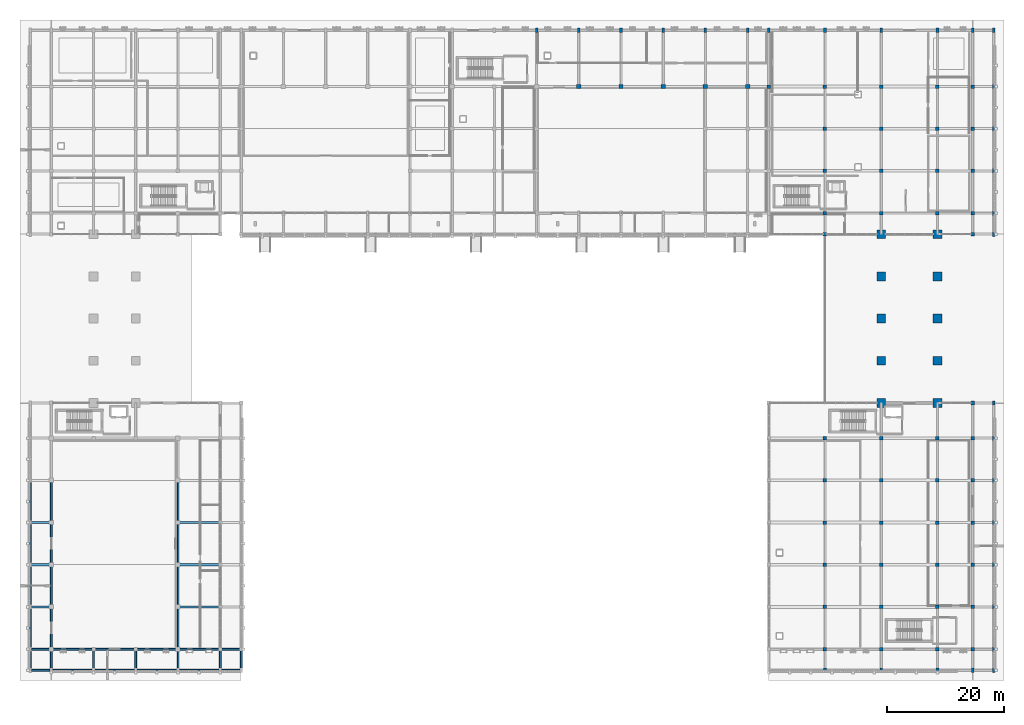
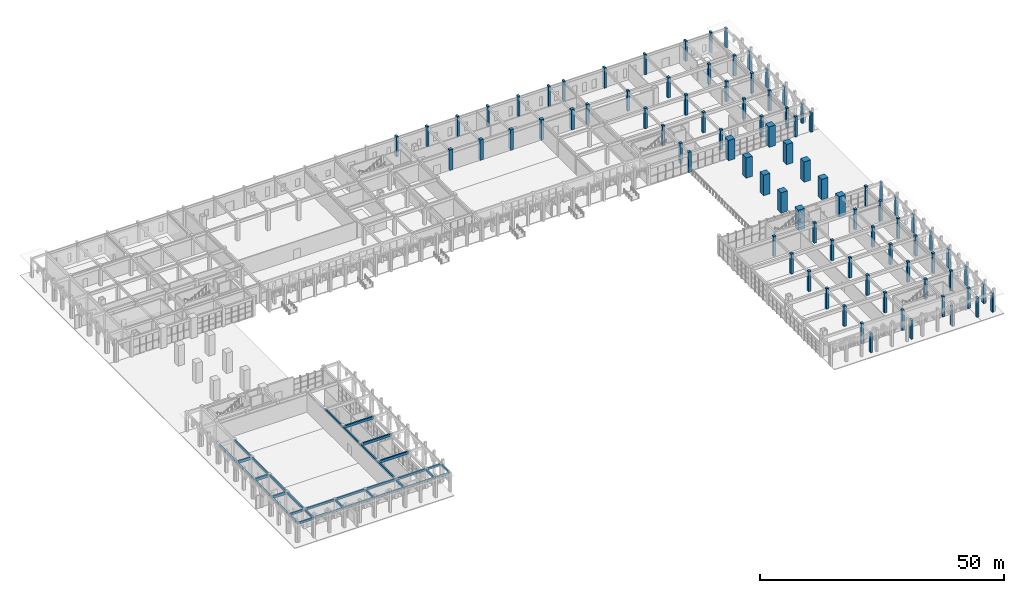
# One storey, part 2 of 72: 88 columns, 37 beams.
"""IFC4 building model written with IfcOpenShell, lengths in metres."""

from ifc_helpers import new_model, si_unit, direction, frame, origin, origin_2d, place, context, subcontext, project, spatial, rectangle, extrude, material, material_profile, profile_set, type_object, element, save


model = new_model("IFC4")

# Units and contexts
model_context = context("Model", 3, precision=1e-05, world=origin(), true_north=direction((0.0, 1.0)))
body_context = subcontext(model_context, "Body", "Model", "MODEL_VIEW")
ifc_project = project(units=[si_unit("LENGTHUNIT", "METRE"), si_unit("AREAUNIT", "SQUARE_METRE"), si_unit("VOLUMEUNIT", "CUBIC_METRE"), si_unit("PLANEANGLEUNIT", "RADIAN"), si_unit("MASSUNIT", "GRAM", prefix="KILO")], contexts=[model_context])

# Site, building, storey
site_placement = place(None, origin())
site = spatial("IfcSite", under=ifc_project, at=site_placement, CompositionType="ELEMENT")
building_placement = place(site_placement, origin())
building = spatial("IfcBuilding", under=site, at=building_placement, Name="Nzembalo Square Collegiate School", CompositionType="ELEMENT")
storey_placement = place(building_placement, origin())
storey = spatial("IfcBuildingStorey", under=building, at=storey_placement, Name="L00", CompositionType="ELEMENT", Elevation=0.0)

# Columns
ifc_material_1 = material(Name="Concrete C40/50", Category="concrete")
ifc_material_profile_1 = material_profile(ifc_material_1, rectangle(XDim=1.5, YDim=1.5, at=origin_2d()), Name="RC 1500x1500")
ifc_profile_set_1 = profile_set([ifc_material_profile_1], Name="Concrete C40/50")
column_type_1 = type_object("IfcColumnType", Name="C01", PredefinedType="COLUMN", material=ifc_profile_set_1)
for number, where, z_axis, x_axis, name in (
    (1, (150.0, 50.39990234375, 0.0), (0.0, 0.0, 1.0), (1.0, 0.0, 0.0), "Column C01 L00 22/H"),
    (2, (150.0, 57.60009765625, 0.0), (0.0, 0.0, 1.0), (1.0, 0.0, 0.0), "Column C01 L00 22/I"),
    (3, (150.0, 64.800048828125, 0.0), (0.0, 0.0, 1.0), (1.0, 0.0, 0.0), "Column C01 L00 22/J"),
    (4, (150.0, 72.0, 0.0), (0.0, 0.0, 1.0), (1.0, 0.0, 0.0), "Column C01 L00 22/K"),
    (5, (150.0, 79.199951171875, 0.0), (0.0, 0.0, 1.0), (1.0, 0.0, 0.0), "Column C01 L00 22/L"),
    (6, (159.60009765625, 50.39990234375, 0.0), (0.0, 0.0, 1.0), (1.0, 0.0, 0.0), "Column C01 L00 23/H"),
    (7, (159.60009765625, 57.60009765625, 0.0), (0.0, 0.0, 1.0), (1.0, 0.0, 0.0), "Column C01 L00 23/I"),
    (8, (159.60009765625, 64.800048828125, 0.0), (0.0, 0.0, 1.0), (1.0, 0.0, 0.0), "Column C01 L00 23/J"),
    (9, (159.60009765625, 72.0, 0.0), (0.0, 0.0, 1.0), (1.0, 0.0, 0.0), "Column C01 L00 23/K"),
    (10, (159.60009765625, 79.199951171875, 0.0), (0.0, 0.0, 1.0), (1.0, 0.0, 0.0), "Column C01 L00 23/L"),
):
    element("IfcColumn", number, at=place(storey_placement, frame(where, z_axis=z_axis, x_axis=x_axis)), inside=storey, type_object=column_type_1, Name=name, PredefinedType="COLUMN", context=body_context, shape_type="SweptSolid", body=[
        extrude(rectangle(XDim=1.5, YDim=1.5, at=origin_2d()), origin(), (0.0, 0.0, 1.0), 5.10009765625),
    ])
ifc_material_2 = material(Name="Concrete C40/50", Category="concrete")
ifc_material_profile_2 = material_profile(ifc_material_2, rectangle(XDim=0.75, YDim=0.75, at=origin_2d()), Name="RC 750x750")
ifc_profile_set_2 = profile_set([ifc_material_profile_2], Name="Concrete C40/50")
column_type_2 = type_object("IfcColumnType", Name="C02", PredefinedType="COLUMN", material=ifc_profile_set_2)
for number, where, z_axis, x_axis, name in (
    (11, (98.39990234375, 104.39990234375, 0.0), (0.0, 0.0, 1.0), (1.0, 0.0, 0.0), "Column C02 L00 15/P"),
    (12, (105.60009765625, 104.39990234375, 0.0), (0.0, 0.0, 1.0), (1.0, 0.0, 0.0), "Column C02 L00 16/P"),
    (13, (112.800048828125, 104.39990234375, 0.0), (0.0, 0.0, 1.0), (1.0, 0.0, 0.0), "Column C02 L00 17/P"),
    (14, (120.0, 104.39990234375, 0.0), (0.0, 0.0, 1.0), (1.0, 0.0, 0.0), "Column C02 L00 18/P"),
    (15, (127.199951171875, 104.39990234375, 0.0), (0.0, 0.0, 1.0), (1.0, 0.0, 0.0), "Column C02 L00 19/P"),
):
    element("IfcColumn", number, at=place(storey_placement, frame(where, z_axis=z_axis, x_axis=x_axis)), inside=storey, type_object=column_type_2, Name=name, PredefinedType="COLUMN", context=body_context, shape_type="SweptSolid", body=[
        extrude(rectangle(XDim=0.75, YDim=0.75, at=origin_2d()), origin(), (0.0, 0.0, 1.0), 5.10009765625),
    ])
ifc_material_3 = material(Name="Concrete C35/45", Category="concrete")
ifc_material_profile_3 = material_profile(ifc_material_3, rectangle(XDim=0.60009765625, YDim=0.60009765625, at=origin_2d()), Name="RC 600x600")
ifc_profile_set_3 = profile_set([ifc_material_profile_3], Name="Concrete C35/45")
column_type_3 = type_object("IfcColumnType", Name="C03", PredefinedType="COLUMN", material=ifc_profile_set_3)
for number, where, z_axis, x_axis, name in (
    (16, (130.800048828125, 104.39990234375, 0.0), (0.0, 0.0, 1.0), (1.0, 0.0, 0.0), "Column C03 L00 20/P"),
    (17, (140.39990234375, 8.39990234375, 0.0), (0.0, 0.0, 1.0), (1.0, 0.0, 0.0), "Column C03 L00 21/B"),
    (18, (140.39990234375, 15.60009765625, 0.0), (0.0, 0.0, 1.0), (1.0, 0.0, 0.0), "Column C03 L00 21/C"),
    (19, (140.39990234375, 22.800048828125, 0.0), (0.0, 0.0, 1.0), (1.0, 0.0, 0.0), "Column C03 L00 21/D"),
    (20, (140.39990234375, 30.0, 0.0), (0.0, 0.0, 1.0), (1.0, 0.0, 0.0), "Column C03 L00 21/E"),
    (21, (140.39990234375, 37.199951171875, 0.0), (0.0, 0.0, 1.0), (1.0, 0.0, 0.0), "Column C03 L00 21/F"),
    (22, (140.39990234375, 44.39990234375, 0.0), (0.0, 0.0, 1.0), (1.0, 0.0, 0.0), "Column C03 L00 21/G"),
    (23, (140.39990234375, 79.199951171875, 0.0), (0.0, 0.0, 1.0), (1.0, 0.0, 0.0), "Column C03 L00 21/L"),
    (24, (140.39990234375, 82.800048828125, 0.0), (0.0, 0.0, 1.0), (1.0, 0.0, 0.0), "Column C03 L00 21/M"),
    (25, (140.39990234375, 90.0, 0.0), (0.0, 0.0, 1.0), (1.0, 0.0, 0.0), "Column C03 L00 21/N"),
    (26, (140.39990234375, 97.199951171875, 0.0), (0.0, 0.0, 1.0), (1.0, 0.0, 0.0), "Column C03 L00 21/O"),
    (27, (140.39990234375, 104.39990234375, 0.0), (0.0, 0.0, 1.0), (1.0, 0.0, 0.0), "Column C03 L00 21/P"),
    (28, (150.0, 8.39990234375, 0.0), (0.0, 0.0, 1.0), (1.0, 0.0, 0.0), "Column C03 L00 22/B"),
    (29, (150.0, 15.60009765625, 0.0), (0.0, 0.0, 1.0), (1.0, 0.0, 0.0), "Column C03 L00 22/C"),
    (30, (150.0, 22.800048828125, 0.0), (0.0, 0.0, 1.0), (1.0, 0.0, 0.0), "Column C03 L00 22/D"),
    (31, (150.0, 30.0, 0.0), (0.0, 0.0, 1.0), (1.0, 0.0, 0.0), "Column C03 L00 22/E"),
    (32, (150.0, 37.199951171875, 0.0), (0.0, 0.0, 1.0), (1.0, 0.0, 0.0), "Column C03 L00 22/F"),
    (33, (150.0, 44.39990234375, 0.0), (0.0, 0.0, 1.0), (1.0, 0.0, 0.0), "Column C03 L00 22/G"),
    (34, (150.0, 82.800048828125, 0.0), (0.0, 0.0, 1.0), (1.0, 0.0, 0.0), "Column C03 L00 22/M"),
    (35, (150.0, 90.0, 0.0), (0.0, 0.0, 1.0), (1.0, 0.0, 0.0), "Column C03 L00 22/N"),
    (36, (150.0, 97.199951171875, 0.0), (0.0, 0.0, 1.0), (1.0, 0.0, 0.0), "Column C03 L00 22/O"),
    (37, (150.0, 104.39990234375, 0.0), (0.0, 0.0, 1.0), (1.0, 0.0, 0.0), "Column C03 L00 22/P"),
    (38, (159.60009765625, 8.39990234375, 0.0), (0.0, 0.0, 1.0), (1.0, 0.0, 0.0), "Column C03 L00 23/B"),
    (39, (159.60009765625, 15.60009765625, 0.0), (0.0, 0.0, 1.0), (1.0, 0.0, 0.0), "Column C03 L00 23/C"),
    (40, (159.60009765625, 22.800048828125, 0.0), (0.0, 0.0, 1.0), (1.0, 0.0, 0.0), "Column C03 L00 23/D"),
    (41, (159.60009765625, 30.0, 0.0), (0.0, 0.0, 1.0), (1.0, 0.0, 0.0), "Column C03 L00 23/E"),
    (42, (159.60009765625, 37.199951171875, 0.0), (0.0, 0.0, 1.0), (1.0, 0.0, 0.0), "Column C03 L00 23/F"),
    (43, (159.60009765625, 44.39990234375, 0.0), (0.0, 0.0, 1.0), (1.0, 0.0, 0.0), "Column C03 L00 23/G"),
    (44, (159.60009765625, 82.800048828125, 0.0), (0.0, 0.0, 1.0), (1.0, 0.0, 0.0), "Column C03 L00 23/M"),
    (45, (159.60009765625, 90.0, 0.0), (0.0, 0.0, 1.0), (1.0, 0.0, 0.0), "Column C03 L00 23/N"),
    (46, (159.60009765625, 97.199951171875, 0.0), (0.0, 0.0, 1.0), (1.0, 0.0, 0.0), "Column C03 L00 23/O"),
    (47, (159.60009765625, 104.39990234375, 0.0), (0.0, 0.0, 1.0), (1.0, 0.0, 0.0), "Column C03 L00 23/P"),
    (48, (165.60009765625, 8.39990234375, 0.0), (0.0, 0.0, 1.0), (1.0, 0.0, 0.0), "Column C03 L00 24/B"),
    (49, (165.60009765625, 15.60009765625, 0.0), (0.0, 0.0, 1.0), (1.0, 0.0, 0.0), "Column C03 L00 24/C"),
    (50, (165.60009765625, 22.800048828125, 0.0), (0.0, 0.0, 1.0), (1.0, 0.0, 0.0), "Column C03 L00 24/D"),
    (51, (165.60009765625, 30.0, 0.0), (0.0, 0.0, 1.0), (1.0, 0.0, 0.0), "Column C03 L00 24/E"),
    (52, (165.60009765625, 37.199951171875, 0.0), (0.0, 0.0, 1.0), (1.0, 0.0, 0.0), "Column C03 L00 24/F"),
    (53, (165.60009765625, 44.39990234375, 0.0), (0.0, 0.0, 1.0), (1.0, 0.0, 0.0), "Column C03 L00 24/G"),
    (54, (165.60009765625, 50.39990234375, 0.0), (0.0, 0.0, 1.0), (1.0, 0.0, 0.0), "Column C03 L00 24/H"),
    (55, (165.60009765625, 79.199951171875, 0.0), (0.0, 0.0, 1.0), (1.0, 0.0, 0.0), "Column C03 L00 24/L"),
    (56, (165.60009765625, 82.800048828125, 0.0), (0.0, 0.0, 1.0), (1.0, 0.0, 0.0), "Column C03 L00 24/M"),
    (57, (165.60009765625, 90.0, 0.0), (0.0, 0.0, 1.0), (1.0, 0.0, 0.0), "Column C03 L00 24/N"),
    (58, (165.60009765625, 97.199951171875, 0.0), (0.0, 0.0, 1.0), (1.0, 0.0, 0.0), "Column C03 L00 24/O"),
    (59, (165.60009765625, 104.39990234375, 0.0), (0.0, 0.0, 1.0), (1.0, 0.0, 0.0), "Column C03 L00 24/P"),
):
    element("IfcColumn", number, at=place(storey_placement, frame(where, z_axis=z_axis, x_axis=x_axis)), inside=storey, type_object=column_type_3, Name=name, PredefinedType="COLUMN", context=body_context, shape_type="SweptSolid", body=[
        extrude(rectangle(XDim=0.60009765625, YDim=0.60009765625, at=origin_2d()), origin(), (0.0, 0.0, 1.0), 5.10009765625),
    ])
ifc_material_4 = material(Name="Concrete C35/45", Category="concrete")
ifc_material_profile_4 = material_profile(ifc_material_4, rectangle(XDim=0.449951171875, YDim=0.75, at=origin_2d()), Name="RC 450x750")
ifc_profile_set_4 = profile_set([ifc_material_profile_4], Name="Concrete C35/45")
column_type_4 = type_object("IfcColumnType", Name="CP01", PredefinedType="PILASTER", material=ifc_profile_set_4)
for number, where, z_axis, x_axis, name in (
    (60, (91.199951171875, 114.0, 0.0), (0.0, 0.0, 1.0), (1.0, 0.0, 0.0), "Column CP01 L00 14/Q"),
    (61, (98.39990234375, 114.0, 0.0), (0.0, 0.0, 1.0), (1.0, 0.0, 0.0), "Column CP01 L00 15/Q"),
    (62, (105.60009765625, 114.0, 0.0), (0.0, 0.0, 1.0), (1.0, 0.0, 0.0), "Column CP01 L00 16/Q"),
    (63, (112.800048828125, 114.0, 0.0), (0.0, 0.0, 1.0), (1.0, 0.0, 0.0), "Column CP01 L00 17/Q"),
    (64, (120.0, 114.0, 0.0), (0.0, 0.0, 1.0), (1.0, 0.0, 0.0), "Column CP01 L00 18/Q"),
    (65, (127.199951171875, 114.0, 0.0), (0.0, 0.0, 1.0), (1.0, 0.0, 0.0), "Column CP01 L00 19/Q"),
    (66, (130.800048828125, 114.0, 0.0), (0.0, 0.0, 1.0), (1.0, 0.0, 0.0), "Column CP01 L00 20/Q"),
):
    element("IfcColumn", number, at=place(storey_placement, frame(where, z_axis=z_axis, x_axis=x_axis)), inside=storey, type_object=column_type_4, Name=name, PredefinedType="PILASTER", context=body_context, shape_type="SweptSolid", body=[
        extrude(rectangle(XDim=0.449951171875, YDim=0.75, at=origin_2d()), origin(), (0.0, 0.0, 1.0), 5.10009765625),
    ])
column_1_placement = place(storey_placement, frame((140.39990234375, 4.800048828125, 0.0), z_axis=(0.0, 0.0, 1.0), x_axis=(1.0, 0.0, 0.0)))
element("IfcColumn", 67, at=column_1_placement, inside=storey, type_object=column_type_4, Name="Column CP01 L00 21/A", PredefinedType="PILASTER", context=body_context, shape_type="SweptSolid", body=[
    extrude(rectangle(XDim=0.449951171875, YDim=0.75, at=origin_2d()), origin(), (0.0, 0.0, 1.0), 4.800048828125),
])
column_2_placement = place(storey_placement, frame((140.39990234375, 114.0, 0.0), z_axis=(0.0, 0.0, 1.0), x_axis=(1.0, 0.0, 0.0)))
element("IfcColumn", 68, at=column_2_placement, inside=storey, type_object=column_type_4, Name="Column CP01 L00 21/Q", PredefinedType="PILASTER", context=body_context, shape_type="SweptSolid", body=[
    extrude(rectangle(XDim=0.449951171875, YDim=0.75, at=origin_2d()), origin(), (0.0, 0.0, 1.0), 5.10009765625),
])
column_3_placement = place(storey_placement, frame((150.0, 4.800048828125, 0.0), z_axis=(0.0, 0.0, 1.0), x_axis=(1.0, 0.0, 0.0)))
element("IfcColumn", 69, at=column_3_placement, inside=storey, type_object=column_type_4, Name="Column CP01 L00 22/A", PredefinedType="PILASTER", context=body_context, shape_type="SweptSolid", body=[
    extrude(rectangle(XDim=0.449951171875, YDim=0.75, at=origin_2d()), origin(), (0.0, 0.0, 1.0), 4.800048828125),
])
column_4_placement = place(storey_placement, frame((150.0, 114.0, 0.0), z_axis=(0.0, 0.0, 1.0), x_axis=(1.0, 0.0, 0.0)))
element("IfcColumn", 70, at=column_4_placement, inside=storey, type_object=column_type_4, Name="Column CP01 L00 22/Q", PredefinedType="PILASTER", context=body_context, shape_type="SweptSolid", body=[
    extrude(rectangle(XDim=0.449951171875, YDim=0.75, at=origin_2d()), origin(), (0.0, 0.0, 1.0), 5.10009765625),
])
column_5_placement = place(storey_placement, frame((159.60009765625, 4.800048828125, 0.0), z_axis=(0.0, 0.0, 1.0), x_axis=(1.0, 0.0, 0.0)))
element("IfcColumn", 71, at=column_5_placement, inside=storey, type_object=column_type_4, Name="Column CP01 L00 23/A", PredefinedType="PILASTER", context=body_context, shape_type="SweptSolid", body=[
    extrude(rectangle(XDim=0.449951171875, YDim=0.75, at=origin_2d()), origin(), (0.0, 0.0, 1.0), 4.800048828125),
])
column_6_placement = place(storey_placement, frame((159.60009765625, 114.0, 0.0), z_axis=(0.0, 0.0, 1.0), x_axis=(1.0, 0.0, 0.0)))
element("IfcColumn", 72, at=column_6_placement, inside=storey, type_object=column_type_4, Name="Column CP01 L00 23/Q", PredefinedType="PILASTER", context=body_context, shape_type="SweptSolid", body=[
    extrude(rectangle(XDim=0.449951171875, YDim=0.75, at=origin_2d()), origin(), (0.0, 0.0, 1.0), 5.10009765625),
])
column_7_placement = place(storey_placement, frame((165.60009765625, 4.800048828125, 0.0), z_axis=(0.0, 0.0, 1.0), x_axis=(1.0, 0.0, 0.0)))
element("IfcColumn", 73, at=column_7_placement, inside=storey, type_object=column_type_4, Name="Column CP01 L00 24/A", PredefinedType="PILASTER", context=body_context, shape_type="SweptSolid", body=[
    extrude(rectangle(XDim=0.449951171875, YDim=0.75, at=origin_2d()), origin(), (0.0, 0.0, 1.0), 4.800048828125),
])
column_8_placement = place(storey_placement, frame((165.60009765625, 114.0, 0.0), z_axis=(0.0, 0.0, 1.0), x_axis=(1.0, 0.0, 0.0)))
element("IfcColumn", 74, at=column_8_placement, inside=storey, type_object=column_type_4, Name="Column CP01 L00 24/Q", PredefinedType="PILASTER", context=body_context, shape_type="SweptSolid", body=[
    extrude(rectangle(XDim=0.449951171875, YDim=0.75, at=origin_2d()), origin(), (0.0, 0.0, 1.0), 5.10009765625),
])
for number, where, z_axis, x_axis, name in (
    (75, (169.199951171875, 4.800048828125, 0.0), (0.0, 0.0, 1.0), (1.0, 0.0, 0.0), "Column CP01 L00 25/A"),
    (76, (169.199951171875, 8.39990234375, 0.0), (0.0, 0.0, 1.0), (1.0, 0.0, 0.0), "Column CP01 L00 25/B"),
    (77, (169.199951171875, 15.60009765625, 0.0), (0.0, 0.0, 1.0), (1.0, 0.0, 0.0), "Column CP01 L00 25/C"),
    (78, (169.199951171875, 22.800048828125, 0.0), (0.0, 0.0, 1.0), (1.0, 0.0, 0.0), "Column CP01 L00 25/D"),
    (79, (169.199951171875, 30.0, 0.0), (0.0, 0.0, 1.0), (1.0, 0.0, 0.0), "Column CP01 L00 25/E"),
    (80, (169.199951171875, 37.199951171875, 0.0), (0.0, 0.0, 1.0), (1.0, 0.0, 0.0), "Column CP01 L00 25/F"),
    (81, (169.199951171875, 44.39990234375, 0.0), (0.0, 0.0, 1.0), (1.0, 0.0, 0.0), "Column CP01 L00 25/G"),
    (82, (169.199951171875, 50.39990234375, 0.0), (0.0, 0.0, 1.0), (1.0, 0.0, 0.0), "Column CP01 L00 25/H"),
    (83, (169.199951171875, 79.199951171875, 0.0), (0.0, 0.0, 1.0), (1.0, 0.0, 0.0), "Column CP01 L00 25/L"),
    (84, (169.199951171875, 82.800048828125, 0.0), (0.0, 0.0, 1.0), (1.0, 0.0, 0.0), "Column CP01 L00 25/M"),
    (85, (169.199951171875, 90.0, 0.0), (0.0, 0.0, 1.0), (1.0, 0.0, 0.0), "Column CP01 L00 25/N"),
    (86, (169.199951171875, 97.199951171875, 0.0), (0.0, 0.0, 1.0), (1.0, 0.0, 0.0), "Column CP01 L00 25/O"),
    (87, (169.199951171875, 104.39990234375, 0.0), (0.0, 0.0, 1.0), (1.0, 0.0, 0.0), "Column CP01 L00 25/P"),
    (88, (169.199951171875, 114.0, 0.0), (0.0, 0.0, 1.0), (1.0, 0.0, 0.0), "Column CP01 L00 25/Q"),
):
    element("IfcColumn", number, at=place(storey_placement, frame(where, z_axis=z_axis, x_axis=x_axis)), inside=storey, type_object=column_type_4, Name=name, PredefinedType="PILASTER", context=body_context, shape_type="SweptSolid", body=[
        extrude(rectangle(XDim=0.449951171875, YDim=0.75, at=origin_2d()), origin(), (0.0, 0.0, 1.0), 4.800048828125),
    ])

# Beams
ifc_material_5 = material(Name="Concrete C35/45", Category="concrete")
ifc_material_profile_5 = material_profile(ifc_material_5, rectangle(XDim=0.35009765625, YDim=0.64990234375, at=origin_2d()), Name="RC 350x650")
ifc_profile_set_5 = profile_set([ifc_material_profile_5], Name="Concrete C35/45")
beam_type_1 = type_object("IfcBeamType", Name="B01", PredefinedType="BEAM", material=ifc_profile_set_5)
beam_1_placement = place(storey_placement, frame((4.800048828125, 15.60009765625, 4.465087890625), z_axis=(1.0, 0.0, 0.0), x_axis=(0.0, 1.0, 0.0)))
element("IfcBeam", 89, at=beam_1_placement, inside=storey, type_object=beam_type_1, Name="Beam B01 L00", PredefinedType="BEAM", context=body_context, shape_type="SweptSolid", body=[
    extrude(rectangle(XDim=0.35009765625, YDim=0.64990234375, at=origin_2d()), origin(), (0.0, 0.0, 1.0), 3.599853515625),
])
beam_2_placement = place(storey_placement, frame((30.0, 15.60009765625, 4.465087890625), z_axis=(1.0, 0.0, 0.0), x_axis=(0.0, 1.0, 0.0)))
element("IfcBeam", 90, at=beam_2_placement, inside=storey, type_object=beam_type_1, Name="Beam B01 L00", PredefinedType="BEAM", context=body_context, shape_type="SweptSolid", body=[
    extrude(rectangle(XDim=0.35009765625, YDim=0.64990234375, at=origin_2d()), origin(), (0.0, 0.0, 1.0), 7.199951171875),
])
beam_3_placement = place(storey_placement, frame((4.800048828125, 22.800048828125, 4.465087890625), z_axis=(1.0, 0.0, 0.0), x_axis=(0.0, 1.0, 0.0)))
element("IfcBeam", 91, at=beam_3_placement, inside=storey, type_object=beam_type_1, Name="Beam B01 L00", PredefinedType="BEAM", context=body_context, shape_type="SweptSolid", body=[
    extrude(rectangle(XDim=0.35009765625, YDim=0.64990234375, at=origin_2d()), origin(), (0.0, 0.0, 1.0), 3.599853515625),
])
beam_4_placement = place(storey_placement, frame((30.0, 22.800048828125, 4.465087890625), z_axis=(1.0, 0.0, 0.0), x_axis=(0.0, 1.0, 0.0)))
element("IfcBeam", 92, at=beam_4_placement, inside=storey, type_object=beam_type_1, Name="Beam B01 L00", PredefinedType="BEAM", context=body_context, shape_type="SweptSolid", body=[
    extrude(rectangle(XDim=0.35009765625, YDim=0.64990234375, at=origin_2d()), origin(), (0.0, 0.0, 1.0), 7.199951171875),
])
beam_5_placement = place(storey_placement, frame((4.800048828125, 30.0, 4.465087890625), z_axis=(1.0, 0.0, 0.0), x_axis=(0.0, 1.0, 0.0)))
element("IfcBeam", 93, at=beam_5_placement, inside=storey, type_object=beam_type_1, Name="Beam B01 L00", PredefinedType="BEAM", context=body_context, shape_type="SweptSolid", body=[
    extrude(rectangle(XDim=0.35009765625, YDim=0.64990234375, at=origin_2d()), origin(), (0.0, 0.0, 1.0), 3.599853515625),
])
beam_6_placement = place(storey_placement, frame((30.0, 30.0, 4.465087890625), z_axis=(1.0, 0.0, 0.0), x_axis=(0.0, 1.0, 0.0)))
element("IfcBeam", 94, at=beam_6_placement, inside=storey, type_object=beam_type_1, Name="Beam B01 L00", PredefinedType="BEAM", context=body_context, shape_type="SweptSolid", body=[
    extrude(rectangle(XDim=0.35009765625, YDim=0.64990234375, at=origin_2d()), origin(), (0.0, 0.0, 1.0), 7.199951171875),
])
ifc_material_6 = material(Name="Concrete C35/45", Category="concrete")
ifc_material_profile_6 = material_profile(ifc_material_6, rectangle(XDim=0.300048828125, YDim=0.5, at=origin_2d()), Name="RC 300x500")
ifc_profile_set_6 = profile_set([ifc_material_profile_6], Name="Concrete C35/45")
beam_type_2 = type_object("IfcBeamType", Name="B02", PredefinedType="BEAM", material=ifc_profile_set_6)
for number, where, z_axis, x_axis, name in (
    (95, (15.60009765625, 4.800048828125, 4.5400390625), (0.0, 1.0, 0.0), (-1.0, 0.0, 0.0), "Beam B02 L00"),
    (96, (22.800048828125, 4.800048828125, 4.5400390625), (0.0, 1.0, 0.0), (-1.0, 0.0, 0.0), "Beam B02 L00"),
    (97, (30.0, 4.800048828125, 4.5400390625), (0.0, 1.0, 0.0), (-1.0, 0.0, 0.0), "Beam B02 L00"),
):
    element("IfcBeam", number, at=place(storey_placement, frame(where, z_axis=z_axis, x_axis=x_axis)), inside=storey, type_object=beam_type_2, Name=name, PredefinedType="BEAM", context=body_context, shape_type="SweptSolid", body=[
        extrude(rectangle(XDim=0.300048828125, YDim=0.5, at=origin_2d()), origin(), (0.0, 0.0, 1.0), 3.599853515625),
    ])
beam_7_placement = place(storey_placement, frame((30.0, 8.39990234375, 4.5400390625), z_axis=(0.0, 1.0, 0.0), x_axis=(-1.0, 0.0, 0.0)))
element("IfcBeam", 98, at=beam_7_placement, inside=storey, type_object=beam_type_2, Name="Beam B02 L00", PredefinedType="BEAM", context=body_context, shape_type="SweptSolid", body=[
    extrude(rectangle(XDim=0.300048828125, YDim=0.5, at=origin_2d()), origin(), (0.0, 0.0, 1.0), 7.2001953125),
])
for number, where, z_axis, x_axis, name in (
    (99, (30.0, 15.60009765625, 4.5400390625), (0.0, 1.0, 0.0), (-1.0, 0.0, 0.0), "Beam B02 L00"),
    (100, (30.0, 22.800048828125, 4.5400390625), (0.0, 1.0, 0.0), (-1.0, 0.0, 0.0), "Beam B02 L00"),
    (101, (30.0, 30.0, 4.5400390625), (0.0, 1.0, 0.0), (-1.0, 0.0, 0.0), "Beam B02 L00"),
):
    element("IfcBeam", number, at=place(storey_placement, frame(where, z_axis=z_axis, x_axis=x_axis)), inside=storey, type_object=beam_type_2, Name=name, PredefinedType="BEAM", context=body_context, shape_type="SweptSolid", body=[
        extrude(rectangle(XDim=0.300048828125, YDim=0.5, at=origin_2d()), origin(), (0.0, 0.0, 1.0), 7.199951171875),
    ])
beam_8_placement = place(storey_placement, frame((40.800048828125, 4.800048828125, 4.5400390625), z_axis=(0.0, 1.0, 0.0), x_axis=(-1.0, 0.0, 0.0)))
element("IfcBeam", 102, at=beam_8_placement, inside=storey, type_object=beam_type_2, Name="Beam B02 L00", PredefinedType="BEAM", context=body_context, shape_type="SweptSolid", body=[
    extrude(rectangle(XDim=0.300048828125, YDim=0.5, at=origin_2d()), origin(), (0.0, 0.0, 1.0), 3.599853515625),
])
ifc_material_7 = material(Name="Concrete C35/45", Category="concrete")
ifc_material_profile_7 = material_profile(ifc_material_7, rectangle(XDim=0.300048828125, YDim=0.5, at=origin_2d()), Name="RC 300x500")
ifc_profile_set_7 = profile_set([ifc_material_profile_7], Name="Concrete C35/45")
beam_type_3 = type_object("IfcBeamType", Name="SP01", PredefinedType="SPANDREL", material=ifc_profile_set_7)
beam_9_placement = place(storey_placement, frame((4.800048828125, 4.800048828125, 4.5400390625), z_axis=(1.0, 0.0, 0.0), x_axis=(0.0, 1.0, 0.0)))
element("IfcBeam", 103, at=beam_9_placement, inside=storey, type_object=beam_type_3, Name="Beam SP01 L00", PredefinedType="SPANDREL", context=body_context, shape_type="SweptSolid", body=[
    extrude(rectangle(XDim=0.300048828125, YDim=0.5, at=origin_2d()), origin(), (0.0, 0.0, 1.0), 3.599853515625),
])
beam_10_placement = place(storey_placement, frame((8.39990234375, 4.800048828125, 4.5400390625), z_axis=(1.0, 0.0, 0.0), x_axis=(0.0, 1.0, 0.0)))
element("IfcBeam", 104, at=beam_10_placement, inside=storey, type_object=beam_type_3, Name="Beam SP01 L00", PredefinedType="SPANDREL", context=body_context, shape_type="SweptSolid", body=[
    extrude(rectangle(XDim=0.300048828125, YDim=0.5, at=origin_2d()), origin(), (0.0, 0.0, 1.0), 7.2001953125),
])
for number, where, z_axis, x_axis, name in (
    (105, (15.60009765625, 4.800048828125, 4.5400390625), (1.0, 0.0, 0.0), (0.0, 1.0, 0.0), "Beam SP01 L00"),
    (106, (22.800048828125, 4.800048828125, 4.5400390625), (1.0, 0.0, 0.0), (0.0, 1.0, 0.0), "Beam SP01 L00"),
    (107, (30.0, 4.800048828125, 4.5400390625), (1.0, 0.0, 0.0), (0.0, 1.0, 0.0), "Beam SP01 L00"),
):
    element("IfcBeam", number, at=place(storey_placement, frame(where, z_axis=z_axis, x_axis=x_axis)), inside=storey, type_object=beam_type_3, Name=name, PredefinedType="SPANDREL", context=body_context, shape_type="SweptSolid", body=[
        extrude(rectangle(XDim=0.300048828125, YDim=0.5, at=origin_2d()), origin(), (0.0, 0.0, 1.0), 7.199951171875),
    ])
beam_11_placement = place(storey_placement, frame((37.199951171875, 4.800048828125, 4.5400390625), z_axis=(1.0, 0.0, 0.0), x_axis=(0.0, 1.0, 0.0)))
element("IfcBeam", 108, at=beam_11_placement, inside=storey, type_object=beam_type_3, Name="Beam SP01 L00", PredefinedType="SPANDREL", context=body_context, shape_type="SweptSolid", body=[
    extrude(rectangle(XDim=0.300048828125, YDim=0.5, at=origin_2d()), origin(), (0.0, 0.0, 1.0), 3.60009765625),
])
beam_12_placement = place(storey_placement, frame((4.800048828125, 8.39990234375, 4.5400390625), z_axis=(1.0, 0.0, 0.0), x_axis=(0.0, 1.0, 0.0)))
element("IfcBeam", 109, at=beam_12_placement, inside=storey, type_object=beam_type_3, Name="Beam SP01 L00", PredefinedType="SPANDREL", context=body_context, shape_type="SweptSolid", body=[
    extrude(rectangle(XDim=0.300048828125, YDim=0.5, at=origin_2d()), origin(), (0.0, 0.0, 1.0), 3.599853515625),
])
beam_13_placement = place(storey_placement, frame((8.39990234375, 8.39990234375, 4.5400390625), z_axis=(1.0, 0.0, 0.0), x_axis=(0.0, 1.0, 0.0)))
element("IfcBeam", 110, at=beam_13_placement, inside=storey, type_object=beam_type_3, Name="Beam SP01 L00", PredefinedType="SPANDREL", context=body_context, shape_type="SweptSolid", body=[
    extrude(rectangle(XDim=0.300048828125, YDim=0.5, at=origin_2d()), origin(), (0.0, 0.0, 1.0), 7.2001953125),
])
for number, where, z_axis, x_axis, name in (
    (111, (15.60009765625, 8.39990234375, 4.5400390625), (1.0, 0.0, 0.0), (0.0, 1.0, 0.0), "Beam SP01 L00"),
    (112, (22.800048828125, 8.39990234375, 4.5400390625), (1.0, 0.0, 0.0), (0.0, 1.0, 0.0), "Beam SP01 L00"),
    (113, (30.0, 8.39990234375, 4.5400390625), (1.0, 0.0, 0.0), (0.0, 1.0, 0.0), "Beam SP01 L00"),
):
    element("IfcBeam", number, at=place(storey_placement, frame(where, z_axis=z_axis, x_axis=x_axis)), inside=storey, type_object=beam_type_3, Name=name, PredefinedType="SPANDREL", context=body_context, shape_type="SweptSolid", body=[
        extrude(rectangle(XDim=0.300048828125, YDim=0.5, at=origin_2d()), origin(), (0.0, 0.0, 1.0), 7.199951171875),
    ])
beam_14_placement = place(storey_placement, frame((37.199951171875, 8.39990234375, 4.5400390625), z_axis=(1.0, 0.0, 0.0), x_axis=(0.0, 1.0, 0.0)))
element("IfcBeam", 114, at=beam_14_placement, inside=storey, type_object=beam_type_3, Name="Beam SP01 L00", PredefinedType="SPANDREL", context=body_context, shape_type="SweptSolid", body=[
    extrude(rectangle(XDim=0.300048828125, YDim=0.5, at=origin_2d()), origin(), (0.0, 0.0, 1.0), 3.60009765625),
])
beam_15_placement = place(storey_placement, frame((4.800048828125, 4.800048828125, 4.5400390625), z_axis=(0.0, 1.0, 0.0), x_axis=(-1.0, 0.0, 0.0)))
element("IfcBeam", 115, at=beam_15_placement, inside=storey, type_object=beam_type_3, Name="Beam SP01 L00", PredefinedType="SPANDREL", context=body_context, shape_type="SweptSolid", body=[
    extrude(rectangle(XDim=0.300048828125, YDim=0.5, at=origin_2d()), origin(), (0.0, 0.0, 1.0), 3.599853515625),
])
beam_16_placement = place(storey_placement, frame((4.800048828125, 8.39990234375, 4.5400390625), z_axis=(0.0, 1.0, 0.0), x_axis=(-1.0, 0.0, 0.0)))
element("IfcBeam", 116, at=beam_16_placement, inside=storey, type_object=beam_type_3, Name="Beam SP01 L00", PredefinedType="SPANDREL", context=body_context, shape_type="SweptSolid", body=[
    extrude(rectangle(XDim=0.300048828125, YDim=0.5, at=origin_2d()), origin(), (0.0, 0.0, 1.0), 7.2001953125),
])
for number, where, z_axis, x_axis, name in (
    (117, (4.800048828125, 15.60009765625, 4.5400390625), (0.0, 1.0, 0.0), (-1.0, 0.0, 0.0), "Beam SP01 L00"),
    (118, (4.800048828125, 22.800048828125, 4.5400390625), (0.0, 1.0, 0.0), (-1.0, 0.0, 0.0), "Beam SP01 L00"),
    (119, (4.800048828125, 30.0, 4.5400390625), (0.0, 1.0, 0.0), (-1.0, 0.0, 0.0), "Beam SP01 L00"),
):
    element("IfcBeam", number, at=place(storey_placement, frame(where, z_axis=z_axis, x_axis=x_axis)), inside=storey, type_object=beam_type_3, Name=name, PredefinedType="SPANDREL", context=body_context, shape_type="SweptSolid", body=[
        extrude(rectangle(XDim=0.300048828125, YDim=0.5, at=origin_2d()), origin(), (0.0, 0.0, 1.0), 7.199951171875),
    ])
beam_17_placement = place(storey_placement, frame((8.39990234375, 4.800048828125, 4.5400390625), z_axis=(0.0, 1.0, 0.0), x_axis=(-1.0, 0.0, 0.0)))
element("IfcBeam", 120, at=beam_17_placement, inside=storey, type_object=beam_type_3, Name="Beam SP01 L00", PredefinedType="SPANDREL", context=body_context, shape_type="SweptSolid", body=[
    extrude(rectangle(XDim=0.300048828125, YDim=0.5, at=origin_2d()), origin(), (0.0, 0.0, 1.0), 3.599853515625),
])
beam_18_placement = place(storey_placement, frame((8.39990234375, 8.39990234375, 4.5400390625), z_axis=(0.0, 1.0, 0.0), x_axis=(-1.0, 0.0, 0.0)))
element("IfcBeam", 121, at=beam_18_placement, inside=storey, type_object=beam_type_3, Name="Beam SP01 L00", PredefinedType="SPANDREL", context=body_context, shape_type="SweptSolid", body=[
    extrude(rectangle(XDim=0.300048828125, YDim=0.5, at=origin_2d()), origin(), (0.0, 0.0, 1.0), 7.2001953125),
])
for number, where, z_axis, x_axis, name in (
    (122, (8.39990234375, 15.60009765625, 4.5400390625), (0.0, 1.0, 0.0), (-1.0, 0.0, 0.0), "Beam SP01 L00"),
    (123, (8.39990234375, 22.800048828125, 4.5400390625), (0.0, 1.0, 0.0), (-1.0, 0.0, 0.0), "Beam SP01 L00"),
    (124, (8.39990234375, 30.0, 4.5400390625), (0.0, 1.0, 0.0), (-1.0, 0.0, 0.0), "Beam SP01 L00"),
):
    element("IfcBeam", number, at=place(storey_placement, frame(where, z_axis=z_axis, x_axis=x_axis)), inside=storey, type_object=beam_type_3, Name=name, PredefinedType="SPANDREL", context=body_context, shape_type="SweptSolid", body=[
        extrude(rectangle(XDim=0.300048828125, YDim=0.5, at=origin_2d()), origin(), (0.0, 0.0, 1.0), 7.199951171875),
    ])
beam_19_placement = place(storey_placement, frame((37.199951171875, 4.800048828125, 4.5400390625), z_axis=(0.0, 1.0, 0.0), x_axis=(-1.0, 0.0, 0.0)))
element("IfcBeam", 125, at=beam_19_placement, inside=storey, type_object=beam_type_3, Name="Beam SP01 L00", PredefinedType="SPANDREL", context=body_context, shape_type="SweptSolid", body=[
    extrude(rectangle(XDim=0.300048828125, YDim=0.5, at=origin_2d()), origin(), (0.0, 0.0, 1.0), 3.599853515625),
])

save(model, "model.ifc")
